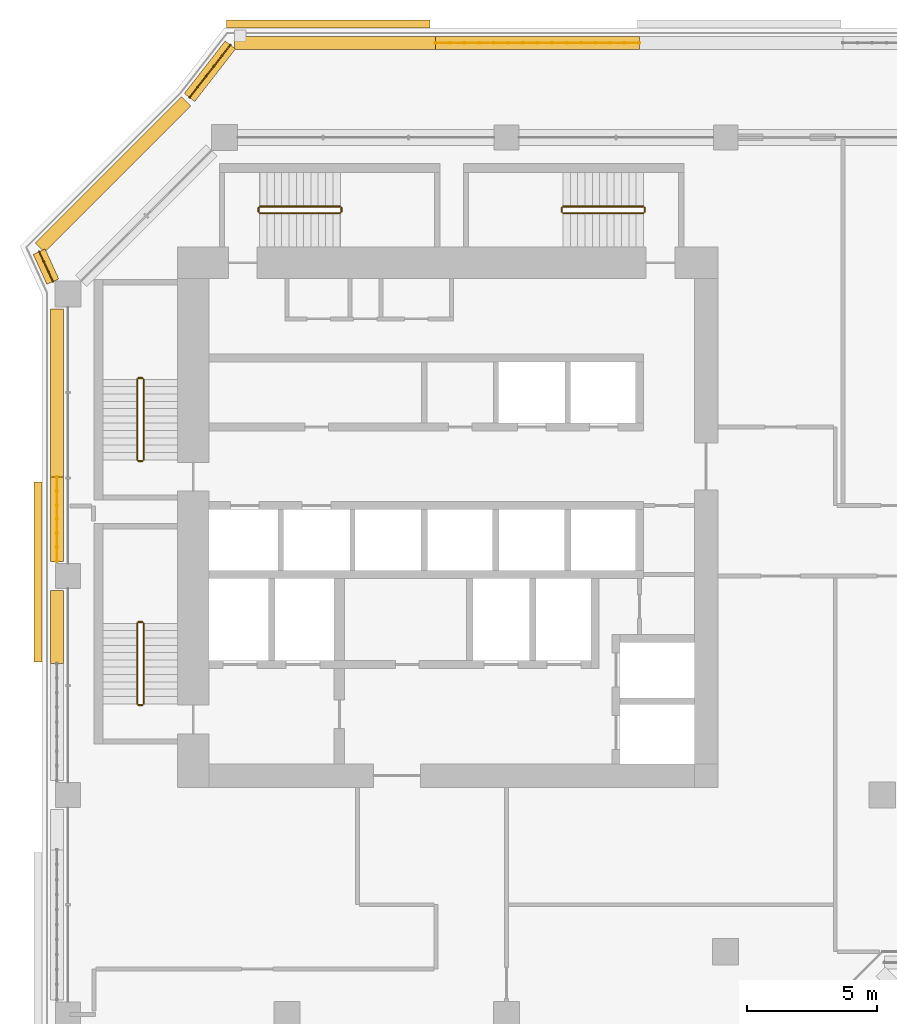
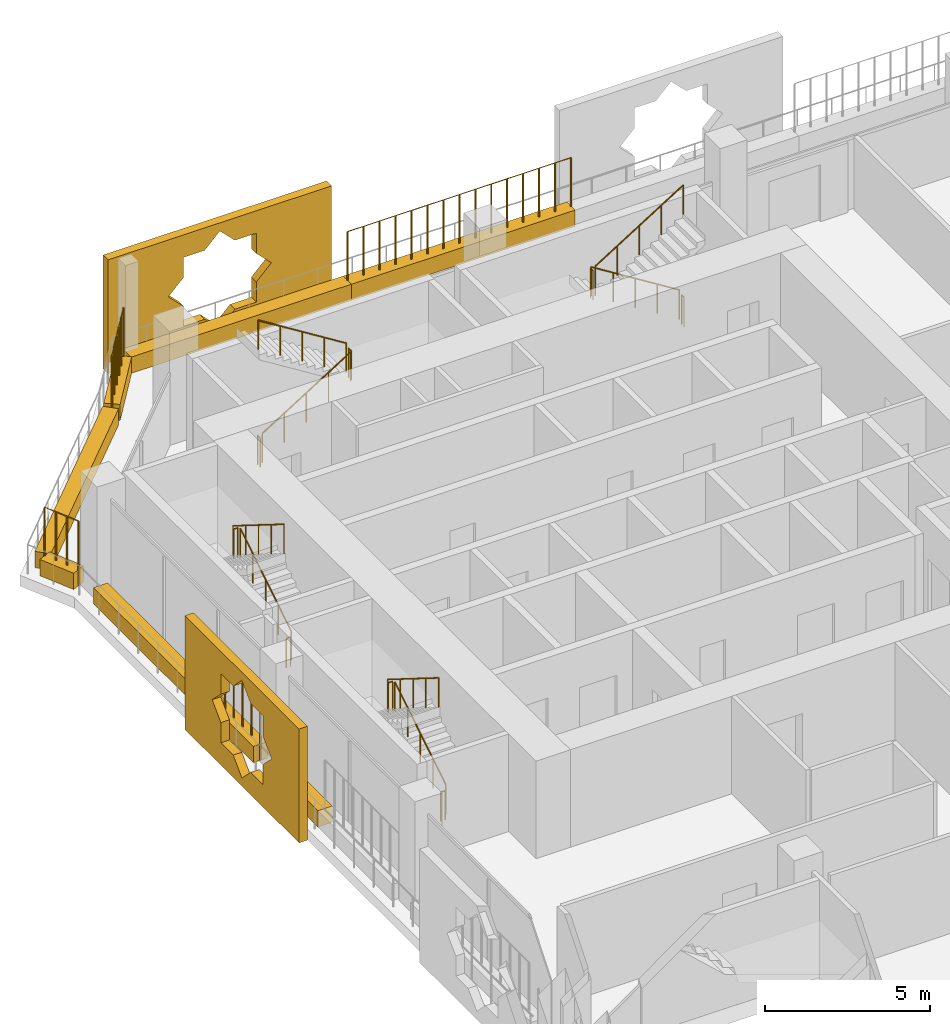
# One storey, part 20 of 22: 20 railings, 10 coverings.
"""IFC4 building model written with IfcOpenShell, lengths in metres."""

from ifc_helpers import new_model, si_unit, direction, frame, origin, origin_2d, place, context, subcontext, project, spatial, polyline, rectangle, circle, outline, extrude, material, material_profile, profile_set, type_object, element, save


model = new_model("IFC4")

# Units and contexts
model_context = context("Model", 3, precision=1e-05, world=origin(), true_north=direction((0.0, 1.0)))
body_context = subcontext(model_context, "Body", "Model", "MODEL_VIEW")
ifc_project = project(units=[si_unit("LENGTHUNIT", "METRE"), si_unit("AREAUNIT", "SQUARE_METRE"), si_unit("VOLUMEUNIT", "CUBIC_METRE"), si_unit("PLANEANGLEUNIT", "RADIAN"), si_unit("MASSUNIT", "GRAM", prefix="KILO")], contexts=[model_context])

# Site, building, storey
site_placement = place(None, origin())
site = spatial("IfcSite", under=ifc_project, at=site_placement, CompositionType="ELEMENT")
building_placement = place(site_placement, origin())
building = spatial("IfcBuilding", under=site, at=building_placement, Name="Kawkab Arch Medical Tower", CompositionType="ELEMENT")
storey_placement = place(building_placement, frame((0.0, 0.0, 204.60009765625)))
storey = spatial("IfcBuildingStorey", under=building, at=storey_placement, Name="L47", CompositionType="ELEMENT", Elevation=204.60009765625)

# Coverings
ifc_material_1 = material(Name="Bronze anodised aluminium mashrabiya panel, eight-point star pattern", Category="aluminium")
ifc_material_profile_1 = material_profile(ifc_material_1, outline(polyline([(-3.449951171875, -2.10009765625), (3.449951171875, -2.10009765625), (3.449951171875, 2.10009765625), (-3.449951171875, 2.10009765625), (-3.449951171875, -2.10009765625)]), holes=[polyline([(1.800048828125, 0.0), (1.272705078125, 0.527099609375), (1.272705078125, 1.272705078125), (0.527099609375, 1.272705078125), (0.0, 1.800048828125), (-0.527099609375, 1.272705078125), (-1.272705078125, 1.272705078125), (-1.272705078125, 0.527099609375), (-1.800048828125, 0.0), (-1.272705078125, -0.527099609375), (-1.272705078125, -1.272705078125), (-0.527099609375, -1.272705078125), (0.0, -1.800048828125), (0.527099609375, -1.272705078125), (1.272705078125, -1.272705078125), (1.272705078125, -0.527099609375), (1.800048828125, 0.0)])]), Name="Mashrabiya panel 6900x4200")
ifc_profile_set_1 = profile_set([ifc_material_profile_1], Name="Bronze anodised aluminium mashrabiya panel, eight-point star pattern")
covering_type_1 = type_object("IfcCoveringType", Name="Mashrabiya panel 6900 x 4200", PredefinedType="USERDEFINED", material=ifc_profile_set_1)
covering_1_placement = place(storey_placement, frame((-1.0, -16.64892578125, 1.699951171875), z_axis=(-1.0, 0.0, 0.0), x_axis=(0.0, -1.0, 0.0)))
element("IfcCovering", 1, at=covering_1_placement, inside=storey, type_object=covering_type_1, Name="Mashrabiya panel L47.LOG-01-01.4", ObjectType="SCREEN", PredefinedType="USERDEFINED", context=body_context, shape_type="SweptSolid", body=[
    extrude(outline(polyline([(-3.449951171875, -2.10009765625), (3.449951171875, -2.10009765625), (3.449951171875, 2.10009765625), (-3.449951171875, 2.10009765625), (-3.449951171875, -2.10009765625)]), holes=[polyline([(1.800048828125, 0.0), (1.272705078125, 0.527099609375), (1.272705078125, 1.272705078125), (0.527099609375, 1.272705078125), (0.0, 1.800048828125), (-0.527099609375, 1.272705078125), (-1.272705078125, 1.272705078125), (-1.272705078125, 0.527099609375), (-1.800048828125, 0.0), (-1.272705078125, -0.527099609375), (-1.272705078125, -1.272705078125), (-0.527099609375, -1.272705078125), (0.0, -1.800048828125), (0.527099609375, -1.272705078125), (1.272705078125, -1.272705078125), (1.272705078125, -0.527099609375), (1.800048828125, 0.0)])]), origin(), (0.0, 0.0, 1.0), 0.300048828125),
])
ifc_material_2 = material(Name="Bronze anodised aluminium mashrabiya panel, eight-point star pattern", Category="aluminium")
ifc_material_profile_2 = material_profile(ifc_material_2, outline(polyline([(-3.89990234375, -2.10009765625), (3.89990234375, -2.10009765625), (3.89990234375, 2.10009765625), (-3.89990234375, 2.10009765625), (-3.89990234375, -2.10009765625)]), holes=[polyline([(1.800048828125, 0.0), (1.272705078125, 0.527099609375), (1.272705078125, 1.272705078125), (0.527099609375, 1.272705078125), (0.0, 1.800048828125), (-0.527099609375, 1.272705078125), (-1.272705078125, 1.272705078125), (-1.272705078125, 0.527099609375), (-1.800048828125, 0.0), (-1.272705078125, -0.527099609375), (-1.272705078125, -1.272705078125), (-0.527099609375, -1.272705078125), (0.0, -1.800048828125), (0.527099609375, -1.272705078125), (1.272705078125, -1.272705078125), (1.272705078125, -0.527099609375), (1.800048828125, 0.0)])]), Name="Mashrabiya panel 7800x4200")
ifc_profile_set_2 = profile_set([ifc_material_profile_2], Name="Bronze anodised aluminium mashrabiya panel, eight-point star pattern")
covering_type_2 = type_object("IfcCoveringType", Name="Mashrabiya panel 7800 x 4200", PredefinedType="USERDEFINED", material=ifc_profile_set_2)
covering_2_placement = place(storey_placement, frame((9.967041015625, 4.199951171875, 1.699951171875), z_axis=(0.0, 1.0, 0.0), x_axis=(-1.0, 0.0, 0.0)))
element("IfcCovering", 2, at=covering_2_placement, inside=storey, type_object=covering_type_2, Name="Mashrabiya panel L47.LOG-01-01.5", ObjectType="SCREEN", PredefinedType="USERDEFINED", context=body_context, shape_type="SweptSolid", body=[
    extrude(outline(polyline([(-3.89990234375, -2.10009765625), (3.89990234375, -2.10009765625), (3.89990234375, 2.10009765625), (-3.89990234375, 2.10009765625), (-3.89990234375, -2.10009765625)]), holes=[polyline([(1.800048828125, 0.0), (1.272705078125, 0.527099609375), (1.272705078125, 1.272705078125), (0.527099609375, 1.272705078125), (0.0, 1.800048828125), (-0.527099609375, 1.272705078125), (-1.272705078125, 1.272705078125), (-1.272705078125, 0.527099609375), (-1.800048828125, 0.0), (-1.272705078125, -0.527099609375), (-1.272705078125, -1.272705078125), (-0.527099609375, -1.272705078125), (0.0, -1.800048828125), (0.527099609375, -1.272705078125), (1.272705078125, -1.272705078125), (1.272705078125, -0.527099609375), (1.800048828125, 0.0)])]), origin(), (0.0, 0.0, 1.0), 0.300048828125),
])
ifc_material_3 = material(Name="Planting soil in a precast trough", Category="concrete")
ifc_material_profile_3 = material_profile(ifc_material_3, rectangle(XDim=0.5, YDim=0.60009765625, at=origin_2d()), Name="Trough 500x600")
ifc_profile_set_3 = profile_set([ifc_material_profile_3], Name="Planting soil in a precast trough")
covering_type_3 = type_object("IfcCoveringType", Name="Planter trough 500 x 600", PredefinedType="USERDEFINED", material=ifc_profile_set_3)
covering_3_placement = place(storey_placement, frame((-0.419921875, -20.157958984375, 0.2998046875), z_axis=(0.0, 1.0, 0.0), x_axis=(-1.0, 0.0, 0.0)))
element("IfcCovering", 3, at=covering_3_placement, inside=storey, type_object=covering_type_3, Name="Planter L47.LOG-01-01.12", ObjectType="PLANTER", PredefinedType="USERDEFINED", context=body_context, shape_type="SweptSolid", body=[
    extrude(rectangle(XDim=0.5, YDim=0.60009765625, at=origin_2d()), origin(), (0.0, 0.0, 1.0), 2.802978515625),
])
covering_4_placement = place(storey_placement, frame((-0.419921875, -16.2451171875, 0.2998046875), z_axis=(0.0, 1.0, 0.0), x_axis=(-1.0, 0.0, 0.0)))
element("IfcCovering", 4, at=covering_4_placement, inside=storey, type_object=covering_type_3, Name="Planter L47.LOG-01-01.13", ObjectType="PLANTER", PredefinedType="USERDEFINED", context=body_context, shape_type="SweptSolid", body=[
    extrude(rectangle(XDim=0.5, YDim=0.60009765625, at=origin_2d()), origin(), (0.0, 0.0, 1.0), 3.22900390625),
])
covering_5_placement = place(storey_placement, frame((-0.419921875, -13.01611328125, 0.2998046875), z_axis=(0.0, 1.0, 0.0), x_axis=(-1.0, 0.0, 0.0)))
element("IfcCovering", 5, at=covering_5_placement, inside=storey, type_object=covering_type_3, Name="Planter L47.LOG-01-01.14", ObjectType="PLANTER", PredefinedType="USERDEFINED", context=body_context, shape_type="SweptSolid", body=[
    extrude(rectangle(XDim=0.5, YDim=0.60009765625, at=origin_2d()), origin(), (0.0, 0.0, 1.0), 6.43603515625),
])
covering_6_placement = place(storey_placement, frame((-0.580078125, -5.52294921875, 0.2998046875), z_axis=(-0.415089762627, 0.909780461959, 0.0), x_axis=(-0.909780461959, -0.415089762627, 0.0)))
element("IfcCovering", 6, at=covering_6_placement, inside=storey, type_object=covering_type_3, Name="Planter L47.LOG-01-01.15", ObjectType="PLANTER", PredefinedType="USERDEFINED", context=body_context, shape_type="SweptSolid", body=[
    extrude(rectangle(XDim=0.5, YDim=0.60009765625, at=origin_2d()), origin(), (0.0, 0.0, 1.0), 1.257568359375),
])
covering_7_placement = place(storey_placement, frame((-1.072998046875, -4.217041015625, 0.2998046875), z_axis=(0.707106781187, 0.707106781187, 0.0), x_axis=(-0.707106781187, 0.707106781187, 0.0)))
element("IfcCovering", 7, at=covering_7_placement, inside=storey, type_object=covering_type_3, Name="Planter L47.LOG-01-01.16", ObjectType="PLANTER", PredefinedType="USERDEFINED", context=body_context, shape_type="SweptSolid", body=[
    extrude(rectangle(XDim=0.5, YDim=0.60009765625, at=origin_2d()), origin(), (0.0, 0.0, 1.0), 7.919677734375),
])
covering_8_placement = place(storey_placement, frame((4.658935546875, 1.531982421875, 0.2998046875), z_axis=(0.61404021143, 0.789274742246, 0.0), x_axis=(-0.789274742246, 0.61404021143, 0.0)))
element("IfcCovering", 8, at=covering_8_placement, inside=storey, type_object=covering_type_3, Name="Planter L47.LOG-01-01.17", ObjectType="PLANTER", PredefinedType="USERDEFINED", context=body_context, shape_type="SweptSolid", body=[
    extrude(rectangle(XDim=0.5, YDim=0.60009765625, at=origin_2d()), origin(), (0.0, 0.0, 1.0), 2.54541015625),
])
covering_9_placement = place(storey_placement, frame((6.384033203125, 3.6201171875, 0.2998046875), z_axis=(1.0, 0.0, 0.0), x_axis=(0.0, 1.0, 0.0)))
element("IfcCovering", 9, at=covering_9_placement, inside=storey, type_object=covering_type_3, Name="Planter L47.LOG-01-01.18", ObjectType="PLANTER", PredefinedType="USERDEFINED", context=body_context, shape_type="SweptSolid", body=[
    extrude(rectangle(XDim=0.5, YDim=0.60009765625, at=origin_2d()), origin(), (0.0, 0.0, 1.0), 7.703857421875),
])
covering_10_placement = place(storey_placement, frame((14.087890625, 3.6201171875, 0.2998046875), z_axis=(1.0, 0.0, 0.0), x_axis=(0.0, 1.0, 0.0)))
element("IfcCovering", 10, at=covering_10_placement, inside=storey, type_object=covering_type_3, Name="Planter L47.LOG-01-01.19", ObjectType="PLANTER", PredefinedType="USERDEFINED", context=body_context, shape_type="SweptSolid", body=[
    extrude(rectangle(XDim=0.5, YDim=0.60009765625, at=origin_2d()), origin(), (0.0, 0.0, 1.0), 7.80517578125),
])

# Railings
ifc_material_4 = material(Name="Bronze anodised aluminium trellis for climbing plants", Category="aluminium")
railing_type_1 = type_object("IfcRailingType", Name="Planting trellis 2400", PredefinedType="USERDEFINED", material=ifc_material_4)
railing_1_placement = place(storey_placement, frame((-0.419921875, -16.2451171875, 0.0)))
element("IfcRailing", 11, at=railing_1_placement, inside=storey, type_object=railing_type_1, Name="Planting trellis L47.LOG-01-01.13", ObjectType="TRELLIS", PredefinedType="USERDEFINED", context=body_context, shape_type="SweptSolid", body=[
    extrude(circle(Radius=0.01513671875, at=origin_2d()), frame((0.0, 0.0, 2.384765625), z_axis=(0.0, 1.0, 0.0), x_axis=(-1.0, 0.0, 0.0)), (0.0, 0.0, 1.0), 3.22900390625),
    extrude(circle(Radius=0.030029296875, at=origin_2d()), origin(), (0.0, 0.0, 1.0), 2.369873046875),
    extrude(circle(Radius=0.030029296875, at=origin_2d()), frame((0.0, 0.5380859375, 0.0)), (0.0, 0.0, 1.0), 2.369873046875),
    extrude(circle(Radius=0.030029296875, at=origin_2d()), frame((0.0, 1.076416015625, 0.0)), (0.0, 0.0, 1.0), 2.369873046875),
    extrude(circle(Radius=0.030029296875, at=origin_2d()), frame((0.0, 1.614501953125, 0.0)), (0.0, 0.0, 1.0), 2.369873046875),
    extrude(circle(Radius=0.030029296875, at=origin_2d()), frame((0.0, 2.152587890625, 0.0)), (0.0, 0.0, 1.0), 2.369873046875),
    extrude(circle(Radius=0.030029296875, at=origin_2d()), frame((0.0, 2.69091796875, 0.0)), (0.0, 0.0, 1.0), 2.369873046875),
    extrude(circle(Radius=0.030029296875, at=origin_2d()), frame((0.0, 3.22900390625, 0.0)), (0.0, 0.0, 1.0), 2.369873046875),
])
railing_2_placement = place(storey_placement, frame((-0.580078125, -5.52294921875, 0.0)))
element("IfcRailing", 12, at=railing_2_placement, inside=storey, type_object=railing_type_1, Name="Planting trellis L47.LOG-01-01.15", ObjectType="TRELLIS", PredefinedType="USERDEFINED", context=body_context, shape_type="SweptSolid", body=[
    extrude(circle(Radius=0.01513671875, at=origin_2d()), frame((0.0, 0.0, 2.384765625), z_axis=(-0.415089762627, 0.909780461959, 0.0), x_axis=(-0.909780461959, -0.415089762627, 0.0)), (0.0, 0.0, 1.0), 1.257568359375),
    extrude(circle(Radius=0.030029296875, at=origin_2d()), origin(), (0.0, 0.0, 1.0), 2.369873046875),
    extrude(circle(Radius=0.030029296875, at=origin_2d()), frame((-0.174072265625, 0.38134765625, 0.0)), (0.0, 0.0, 1.0), 2.369873046875),
    extrude(circle(Radius=0.030029296875, at=origin_2d()), frame((-0.347900390625, 0.7626953125, 0.0)), (0.0, 0.0, 1.0), 2.369873046875),
    extrude(circle(Radius=0.030029296875, at=origin_2d()), frame((-0.52197265625, 1.14404296875, 0.0)), (0.0, 0.0, 1.0), 2.369873046875),
])
railing_3_placement = place(storey_placement, frame((4.658935546875, 1.531982421875, 0.0)))
element("IfcRailing", 13, at=railing_3_placement, inside=storey, type_object=railing_type_1, Name="Planting trellis L47.LOG-01-01.17", ObjectType="TRELLIS", PredefinedType="USERDEFINED", context=body_context, shape_type="SweptSolid", body=[
    extrude(circle(Radius=0.01513671875, at=origin_2d()), frame((0.0, 0.0, 2.384765625), z_axis=(0.61404021143, 0.789274742246, 0.0), x_axis=(-0.789274742246, 0.61404021143, 0.0)), (0.0, 0.0, 1.0), 2.54541015625),
    extrude(circle(Radius=0.030029296875, at=origin_2d()), origin(), (0.0, 0.0, 1.0), 2.369873046875),
    extrude(circle(Radius=0.030029296875, at=origin_2d()), frame((0.3125, 0.40185546875, 0.0)), (0.0, 0.0, 1.0), 2.369873046875),
    extrude(circle(Radius=0.030029296875, at=origin_2d()), frame((0.625244140625, 0.8037109375, 0.0)), (0.0, 0.0, 1.0), 2.369873046875),
    extrude(circle(Radius=0.030029296875, at=origin_2d()), frame((0.937744140625, 1.205322265625, 0.0)), (0.0, 0.0, 1.0), 2.369873046875),
    extrude(circle(Radius=0.030029296875, at=origin_2d()), frame((1.25048828125, 1.607177734375, 0.0)), (0.0, 0.0, 1.0), 2.369873046875),
    extrude(circle(Radius=0.030029296875, at=origin_2d()), frame((1.56298828125, 2.009033203125, 0.0)), (0.0, 0.0, 1.0), 2.369873046875),
])
railing_4_placement = place(storey_placement, frame((14.087890625, 3.6201171875, 0.0)))
element("IfcRailing", 14, at=railing_4_placement, inside=storey, type_object=railing_type_1, Name="Planting trellis L47.LOG-01-01.19", ObjectType="TRELLIS", PredefinedType="USERDEFINED", context=body_context, shape_type="SweptSolid", body=[
    extrude(circle(Radius=0.01513671875, at=origin_2d()), frame((0.0, 0.0, 2.384765625), z_axis=(1.0, 0.0, 0.0), x_axis=(0.0, 1.0, 0.0)), (0.0, 0.0, 1.0), 7.80517578125),
    extrude(circle(Radius=0.030029296875, at=origin_2d()), origin(), (0.0, 0.0, 1.0), 2.369873046875),
    extrude(circle(Radius=0.030029296875, at=origin_2d()), frame((0.5576171875, 0.0, 0.0)), (0.0, 0.0, 1.0), 2.369873046875),
    extrude(circle(Radius=0.030029296875, at=origin_2d()), frame((1.114990234375, 0.0, 0.0)), (0.0, 0.0, 1.0), 2.369873046875),
    extrude(circle(Radius=0.030029296875, at=origin_2d()), frame((1.672607421875, 0.0, 0.0)), (0.0, 0.0, 1.0), 2.369873046875),
    extrude(circle(Radius=0.030029296875, at=origin_2d()), frame((2.22998046875, 0.0, 0.0)), (0.0, 0.0, 1.0), 2.369873046875),
    extrude(circle(Radius=0.030029296875, at=origin_2d()), frame((2.78759765625, 0.0, 0.0)), (0.0, 0.0, 1.0), 2.369873046875),
    extrude(circle(Radius=0.030029296875, at=origin_2d()), frame((3.344970703125, 0.0, 0.0)), (0.0, 0.0, 1.0), 2.369873046875),
    extrude(circle(Radius=0.030029296875, at=origin_2d()), frame((3.902587890625, 0.0, 0.0)), (0.0, 0.0, 1.0), 2.369873046875),
    extrude(circle(Radius=0.030029296875, at=origin_2d()), frame((4.460205078125, 0.0, 0.0)), (0.0, 0.0, 1.0), 2.369873046875),
    extrude(circle(Radius=0.030029296875, at=origin_2d()), frame((5.017578125, 0.0, 0.0)), (0.0, 0.0, 1.0), 2.369873046875),
    extrude(circle(Radius=0.030029296875, at=origin_2d()), frame((5.5751953125, 0.0, 0.0)), (0.0, 0.0, 1.0), 2.369873046875),
    extrude(circle(Radius=0.030029296875, at=origin_2d()), frame((6.132568359375, 0.0, 0.0)), (0.0, 0.0, 1.0), 2.369873046875),
    extrude(circle(Radius=0.030029296875, at=origin_2d()), frame((6.690185546875, 0.0, 0.0)), (0.0, 0.0, 1.0), 2.369873046875),
    extrude(circle(Radius=0.030029296875, at=origin_2d()), frame((7.24755859375, 0.0, 0.0)), (0.0, 0.0, 1.0), 2.369873046875),
    extrude(circle(Radius=0.030029296875, at=origin_2d()), frame((7.80517578125, 0.0, 0.0)), (0.0, 0.0, 1.0), 2.369873046875),
])
ifc_material_5 = material(Name="Stainless steel", Category="steel")
railing_type_2 = type_object("IfcRailingType", Name="Stair guard 1100", PredefinedType="GUARDRAIL", material=ifc_material_5)
railing_5_placement = place(storey_placement, frame((2.89990234375, -12.35009765625, 0.1748046875)))
element("IfcRailing", 15, at=railing_5_placement, inside=storey, type_object=railing_type_2, Name="L47 ST1 stair guard 1", PredefinedType="GUARDRAIL", context=body_context, shape_type="SweptSolid", body=[
    extrude(circle(Radius=0.02392578125, at=origin_2d()), frame((0.0, 0.0, 1.076171875), z_axis=(0.0, 0.847998304005, 0.529998940003), x_axis=(-1.0, 0.0, 0.0)), (0.0, 0.0, 1.0), 3.632080078125),
    extrude(circle(Radius=0.02099609375, at=origin_2d()), origin(), (0.0, 0.0, 1.0), 1.052001953125),
    extrude(circle(Radius=0.02099609375, at=origin_2d()), frame((0.0, 0.77001953125, 0.481201171875)), (0.0, 0.0, 1.0), 1.052001953125),
    extrude(circle(Radius=0.02099609375, at=origin_2d()), frame((0.0, 1.5400390625, 0.96240234375)), (0.0, 0.0, 1.0), 1.052001953125),
    extrude(circle(Radius=0.02099609375, at=origin_2d()), frame((0.0, 2.31005859375, 1.44384765625)), (0.0, 0.0, 1.0), 1.052001953125),
    extrude(circle(Radius=0.02099609375, at=origin_2d()), frame((0.0, 3.080078125, 1.925048828125)), (0.0, 0.0, 1.0), 1.052001953125),
])
railing_6_placement = place(storey_placement, frame((2.85009765625, -9.219970703125, 2.099853515625)))
element("IfcRailing", 16, at=railing_6_placement, inside=storey, type_object=railing_type_2, Name="L47 ST1 stair guard 2", PredefinedType="GUARDRAIL", context=body_context, shape_type="SweptSolid", body=[
    extrude(circle(Radius=0.02392578125, at=origin_2d()), frame((0.0, 0.0, 1.076171875), z_axis=(-1.0, 0.0, 0.0), x_axis=(0.0, -1.0, 0.0)), (0.0, 0.0, 1.0), 0.150146484375),
    extrude(circle(Radius=0.02099609375, at=origin_2d()), origin(), (0.0, 0.0, 1.0), 1.052001953125),
    extrude(circle(Radius=0.02099609375, at=origin_2d()), frame((-0.150146484375, 0.0, 0.0)), (0.0, 0.0, 1.0), 1.052001953125),
])
railing_7_placement = place(storey_placement, frame((2.64990234375, -9.27001953125, 2.27490234375)))
element("IfcRailing", 17, at=railing_7_placement, inside=storey, type_object=railing_type_2, Name="L47 ST1 stair guard 3", PredefinedType="GUARDRAIL", context=body_context, shape_type="SweptSolid", body=[
    extrude(circle(Radius=0.02392578125, at=origin_2d()), frame((0.0, 0.0, 1.076171875), z_axis=(0.0, -0.847998304005, 0.529998940003), x_axis=(1.0, 0.0, 0.0)), (0.0, 0.0, 1.0), 3.632080078125),
    extrude(circle(Radius=0.02099609375, at=origin_2d()), origin(), (0.0, 0.0, 1.0), 1.052001953125),
    extrude(circle(Radius=0.02099609375, at=origin_2d()), frame((0.0, -0.77001953125, 0.481201171875)), (0.0, 0.0, 1.0), 1.052001953125),
    extrude(circle(Radius=0.02099609375, at=origin_2d()), frame((0.0, -1.5400390625, 0.96240234375)), (0.0, 0.0, 1.0), 1.052001953125),
    extrude(circle(Radius=0.02099609375, at=origin_2d()), frame((0.0, -2.31005859375, 1.44384765625)), (0.0, 0.0, 1.0), 1.052001953125),
    extrude(circle(Radius=0.02099609375, at=origin_2d()), frame((0.0, -3.080078125, 1.925048828125)), (0.0, 0.0, 1.0), 1.052001953125),
])
railing_8_placement = place(storey_placement, frame((2.85009765625, -12.39990234375, 0.0)))
element("IfcRailing", 18, at=railing_8_placement, inside=storey, type_object=railing_type_2, Name="L47 ST1 stair guard 4", PredefinedType="GUARDRAIL", context=body_context, shape_type="SweptSolid", body=[
    extrude(circle(Radius=0.02392578125, at=origin_2d()), frame((0.0, 0.0, 1.076171875), z_axis=(-1.0, 0.0, 0.0), x_axis=(0.0, -1.0, 0.0)), (0.0, 0.0, 1.0), 0.150146484375),
    extrude(circle(Radius=0.02099609375, at=origin_2d()), origin(), (0.0, 0.0, 1.0), 1.052001953125),
    extrude(circle(Radius=0.02099609375, at=origin_2d()), frame((-0.150146484375, 0.0, 0.0)), (0.0, 0.0, 1.0), 1.052001953125),
])
railing_9_placement = place(storey_placement, frame((2.89990234375, -21.699951171875, 0.1748046875)))
element("IfcRailing", 19, at=railing_9_placement, inside=storey, type_object=railing_type_2, Name="L47 ST2 stair guard 1", PredefinedType="GUARDRAIL", context=body_context, shape_type="SweptSolid", body=[
    extrude(circle(Radius=0.02392578125, at=origin_2d()), frame((0.0, 0.0, 1.076171875), z_axis=(0.0, 0.847979421464, 0.530029150871), x_axis=(-1.0, 0.0, 0.0)), (0.0, 0.0, 1.0), 3.632080078125),
    extrude(circle(Radius=0.02099609375, at=origin_2d()), origin(), (0.0, 0.0, 1.0), 1.052001953125),
    extrude(circle(Radius=0.02099609375, at=origin_2d()), frame((0.0, 0.77001953125, 0.481201171875)), (0.0, 0.0, 1.0), 1.052001953125),
    extrude(circle(Radius=0.02099609375, at=origin_2d()), frame((0.0, 1.5400390625, 0.96240234375)), (0.0, 0.0, 1.0), 1.052001953125),
    extrude(circle(Radius=0.02099609375, at=origin_2d()), frame((0.0, 2.309814453125, 1.44384765625)), (0.0, 0.0, 1.0), 1.052001953125),
    extrude(circle(Radius=0.02099609375, at=origin_2d()), frame((0.0, 3.079833984375, 1.925048828125)), (0.0, 0.0, 1.0), 1.052001953125),
])
railing_10_placement = place(storey_placement, frame((2.85009765625, -18.570068359375, 2.099853515625)))
element("IfcRailing", 20, at=railing_10_placement, inside=storey, type_object=railing_type_2, Name="L47 ST2 stair guard 2", PredefinedType="GUARDRAIL", context=body_context, shape_type="SweptSolid", body=[
    extrude(circle(Radius=0.02392578125, at=origin_2d()), frame((0.0, 0.0, 1.076171875), z_axis=(-1.0, 0.0, 0.0), x_axis=(0.0, -1.0, 0.0)), (0.0, 0.0, 1.0), 0.150146484375),
    extrude(circle(Radius=0.02099609375, at=origin_2d()), origin(), (0.0, 0.0, 1.0), 1.052001953125),
    extrude(circle(Radius=0.02099609375, at=origin_2d()), frame((-0.150146484375, 0.0, 0.0)), (0.0, 0.0, 1.0), 1.052001953125),
])
railing_11_placement = place(storey_placement, frame((2.64990234375, -18.6201171875, 2.27490234375)))
element("IfcRailing", 21, at=railing_11_placement, inside=storey, type_object=railing_type_2, Name="L47 ST2 stair guard 3", PredefinedType="GUARDRAIL", context=body_context, shape_type="SweptSolid", body=[
    extrude(circle(Radius=0.02392578125, at=origin_2d()), frame((0.0, 0.0, 1.076171875), z_axis=(0.0, -0.847979421464, 0.530029150871), x_axis=(1.0, 0.0, 0.0)), (0.0, 0.0, 1.0), 3.632080078125),
    extrude(circle(Radius=0.02099609375, at=origin_2d()), origin(), (0.0, 0.0, 1.0), 1.052001953125),
    extrude(circle(Radius=0.02099609375, at=origin_2d()), frame((0.0, -0.77001953125, 0.481201171875)), (0.0, 0.0, 1.0), 1.052001953125),
    extrude(circle(Radius=0.02099609375, at=origin_2d()), frame((0.0, -1.5400390625, 0.96240234375)), (0.0, 0.0, 1.0), 1.052001953125),
    extrude(circle(Radius=0.02099609375, at=origin_2d()), frame((0.0, -2.309814453125, 1.44384765625)), (0.0, 0.0, 1.0), 1.052001953125),
    extrude(circle(Radius=0.02099609375, at=origin_2d()), frame((0.0, -3.079833984375, 1.925048828125)), (0.0, 0.0, 1.0), 1.052001953125),
])
railing_12_placement = place(storey_placement, frame((2.85009765625, -21.75, 0.0)))
element("IfcRailing", 22, at=railing_12_placement, inside=storey, type_object=railing_type_2, Name="L47 ST2 stair guard 4", PredefinedType="GUARDRAIL", context=body_context, shape_type="SweptSolid", body=[
    extrude(circle(Radius=0.02392578125, at=origin_2d()), frame((0.0, 0.0, 1.076171875), z_axis=(-1.0, 0.0, 0.0), x_axis=(0.0, -1.0, 0.0)), (0.0, 0.0, 1.0), 0.150146484375),
    extrude(circle(Radius=0.02099609375, at=origin_2d()), origin(), (0.0, 0.0, 1.0), 1.052001953125),
    extrude(circle(Radius=0.02099609375, at=origin_2d()), frame((-0.150146484375, 0.0, 0.0)), (0.0, 0.0, 1.0), 1.052001953125),
])
railing_13_placement = place(storey_placement, frame((7.35009765625, -2.89990234375, 0.1748046875)))
element("IfcRailing", 23, at=railing_13_placement, inside=storey, type_object=railing_type_2, Name="L47 ST3 stair guard 1", PredefinedType="GUARDRAIL", context=body_context, shape_type="SweptSolid", body=[
    extrude(circle(Radius=0.02392578125, at=origin_2d()), frame((0.0, 0.0, 1.076171875), z_axis=(0.847979421464, 0.0, 0.530029150871), x_axis=(0.0, 1.0, 0.0)), (0.0, 0.0, 1.0), 3.632080078125),
    extrude(circle(Radius=0.02099609375, at=origin_2d()), origin(), (0.0, 0.0, 1.0), 1.052001953125),
    extrude(circle(Radius=0.02099609375, at=origin_2d()), frame((0.77001953125, 0.0, 0.481201171875)), (0.0, 0.0, 1.0), 1.052001953125),
    extrude(circle(Radius=0.02099609375, at=origin_2d()), frame((1.5400390625, 0.0, 0.96240234375)), (0.0, 0.0, 1.0), 1.052001953125),
    extrude(circle(Radius=0.02099609375, at=origin_2d()), frame((2.309814453125, 0.0, 1.44384765625)), (0.0, 0.0, 1.0), 1.052001953125),
    extrude(circle(Radius=0.02099609375, at=origin_2d()), frame((3.079833984375, 0.0, 1.925048828125)), (0.0, 0.0, 1.0), 1.052001953125),
])
railing_14_placement = place(storey_placement, frame((10.47998046875, -2.85009765625, 2.099853515625)))
element("IfcRailing", 24, at=railing_14_placement, inside=storey, type_object=railing_type_2, Name="L47 ST3 stair guard 2", PredefinedType="GUARDRAIL", context=body_context, shape_type="SweptSolid", body=[
    extrude(circle(Radius=0.02392578125, at=origin_2d()), frame((0.0, 0.0, 1.076171875), z_axis=(0.0, 1.0, 0.0), x_axis=(-1.0, 0.0, 0.0)), (0.0, 0.0, 1.0), 0.150146484375),
    extrude(circle(Radius=0.02099609375, at=origin_2d()), origin(), (0.0, 0.0, 1.0), 1.052001953125),
    extrude(circle(Radius=0.02099609375, at=origin_2d()), frame((0.0, 0.150146484375, 0.0)), (0.0, 0.0, 1.0), 1.052001953125),
])
railing_15_placement = place(storey_placement, frame((10.429931640625, -2.64990234375, 2.27490234375)))
element("IfcRailing", 25, at=railing_15_placement, inside=storey, type_object=railing_type_2, Name="L47 ST3 stair guard 3", PredefinedType="GUARDRAIL", context=body_context, shape_type="SweptSolid", body=[
    extrude(circle(Radius=0.02392578125, at=origin_2d()), frame((0.0, 0.0, 1.076171875), z_axis=(-0.847979421464, 0.0, 0.530029150871), x_axis=(0.0, -1.0, 0.0)), (0.0, 0.0, 1.0), 3.632080078125),
    extrude(circle(Radius=0.02099609375, at=origin_2d()), origin(), (0.0, 0.0, 1.0), 1.052001953125),
    extrude(circle(Radius=0.02099609375, at=origin_2d()), frame((-0.77001953125, 0.0, 0.481201171875)), (0.0, 0.0, 1.0), 1.052001953125),
    extrude(circle(Radius=0.02099609375, at=origin_2d()), frame((-1.5400390625, 0.0, 0.96240234375)), (0.0, 0.0, 1.0), 1.052001953125),
    extrude(circle(Radius=0.02099609375, at=origin_2d()), frame((-2.309814453125, 0.0, 1.44384765625)), (0.0, 0.0, 1.0), 1.052001953125),
    extrude(circle(Radius=0.02099609375, at=origin_2d()), frame((-3.079833984375, 0.0, 1.925048828125)), (0.0, 0.0, 1.0), 1.052001953125),
])
railing_16_placement = place(storey_placement, frame((7.300048828125, -2.85009765625, 0.0)))
element("IfcRailing", 26, at=railing_16_placement, inside=storey, type_object=railing_type_2, Name="L47 ST3 stair guard 4", PredefinedType="GUARDRAIL", context=body_context, shape_type="SweptSolid", body=[
    extrude(circle(Radius=0.02392578125, at=origin_2d()), frame((0.0, 0.0, 1.076171875), z_axis=(0.0, 1.0, 0.0), x_axis=(-1.0, 0.0, 0.0)), (0.0, 0.0, 1.0), 0.150146484375),
    extrude(circle(Radius=0.02099609375, at=origin_2d()), origin(), (0.0, 0.0, 1.0), 1.052001953125),
    extrude(circle(Radius=0.02099609375, at=origin_2d()), frame((0.0, 0.150146484375, 0.0)), (0.0, 0.0, 1.0), 1.052001953125),
])
railing_17_placement = place(storey_placement, frame((22.050048828125, -2.64990234375, 0.1748046875)))
element("IfcRailing", 27, at=railing_17_placement, inside=storey, type_object=railing_type_2, Name="L47 ST4 stair guard 1", PredefinedType="GUARDRAIL", context=body_context, shape_type="SweptSolid", body=[
    extrude(circle(Radius=0.02392578125, at=origin_2d()), frame((0.0, 0.0, 1.076171875), z_axis=(-0.847998304005, 0.0, 0.529998940003), x_axis=(0.0, -1.0, 0.0)), (0.0, 0.0, 1.0), 3.632080078125),
    extrude(circle(Radius=0.02099609375, at=origin_2d()), origin(), (0.0, 0.0, 1.0), 1.052001953125),
    extrude(circle(Radius=0.02099609375, at=origin_2d()), frame((-0.77001953125, 0.0, 0.481201171875)), (0.0, 0.0, 1.0), 1.052001953125),
    extrude(circle(Radius=0.02099609375, at=origin_2d()), frame((-1.5400390625, 0.0, 0.96240234375)), (0.0, 0.0, 1.0), 1.052001953125),
    extrude(circle(Radius=0.02099609375, at=origin_2d()), frame((-2.31005859375, 0.0, 1.44384765625)), (0.0, 0.0, 1.0), 1.052001953125),
    extrude(circle(Radius=0.02099609375, at=origin_2d()), frame((-3.080078125, 0.0, 1.925048828125)), (0.0, 0.0, 1.0), 1.052001953125),
])
railing_18_placement = place(storey_placement, frame((18.919921875, -2.699951171875, 2.099853515625)))
element("IfcRailing", 28, at=railing_18_placement, inside=storey, type_object=railing_type_2, Name="L47 ST4 stair guard 2", PredefinedType="GUARDRAIL", context=body_context, shape_type="SweptSolid", body=[
    extrude(circle(Radius=0.02392578125, at=origin_2d()), frame((0.0, 0.0, 1.076171875), z_axis=(0.0, -1.0, 0.0), x_axis=(1.0, 0.0, 0.0)), (0.0, 0.0, 1.0), 0.150146484375),
    extrude(circle(Radius=0.02099609375, at=origin_2d()), origin(), (0.0, 0.0, 1.0), 1.052001953125),
    extrude(circle(Radius=0.02099609375, at=origin_2d()), frame((0.0, -0.150146484375, 0.0)), (0.0, 0.0, 1.0), 1.052001953125),
])
railing_19_placement = place(storey_placement, frame((18.969970703125, -2.89990234375, 2.27490234375)))
element("IfcRailing", 29, at=railing_19_placement, inside=storey, type_object=railing_type_2, Name="L47 ST4 stair guard 3", PredefinedType="GUARDRAIL", context=body_context, shape_type="SweptSolid", body=[
    extrude(circle(Radius=0.02392578125, at=origin_2d()), frame((0.0, 0.0, 1.076171875), z_axis=(0.847998304005, 0.0, 0.529998940003), x_axis=(0.0, 1.0, 0.0)), (0.0, 0.0, 1.0), 3.632080078125),
    extrude(circle(Radius=0.02099609375, at=origin_2d()), origin(), (0.0, 0.0, 1.0), 1.052001953125),
    extrude(circle(Radius=0.02099609375, at=origin_2d()), frame((0.77001953125, 0.0, 0.481201171875)), (0.0, 0.0, 1.0), 1.052001953125),
    extrude(circle(Radius=0.02099609375, at=origin_2d()), frame((1.5400390625, 0.0, 0.96240234375)), (0.0, 0.0, 1.0), 1.052001953125),
    extrude(circle(Radius=0.02099609375, at=origin_2d()), frame((2.31005859375, 0.0, 1.44384765625)), (0.0, 0.0, 1.0), 1.052001953125),
    extrude(circle(Radius=0.02099609375, at=origin_2d()), frame((3.080078125, 0.0, 1.925048828125)), (0.0, 0.0, 1.0), 1.052001953125),
])
railing_20_placement = place(storey_placement, frame((22.10009765625, -2.699951171875, 0.0)))
element("IfcRailing", 30, at=railing_20_placement, inside=storey, type_object=railing_type_2, Name="L47 ST4 stair guard 4", PredefinedType="GUARDRAIL", context=body_context, shape_type="SweptSolid", body=[
    extrude(circle(Radius=0.02392578125, at=origin_2d()), frame((0.0, 0.0, 1.076171875), z_axis=(0.0, -1.0, 0.0), x_axis=(1.0, 0.0, 0.0)), (0.0, 0.0, 1.0), 0.150146484375),
    extrude(circle(Radius=0.02099609375, at=origin_2d()), origin(), (0.0, 0.0, 1.0), 1.052001953125),
    extrude(circle(Radius=0.02099609375, at=origin_2d()), frame((0.0, -0.150146484375, 0.0)), (0.0, 0.0, 1.0), 1.052001953125),
])

save(model, "model.ifc")
